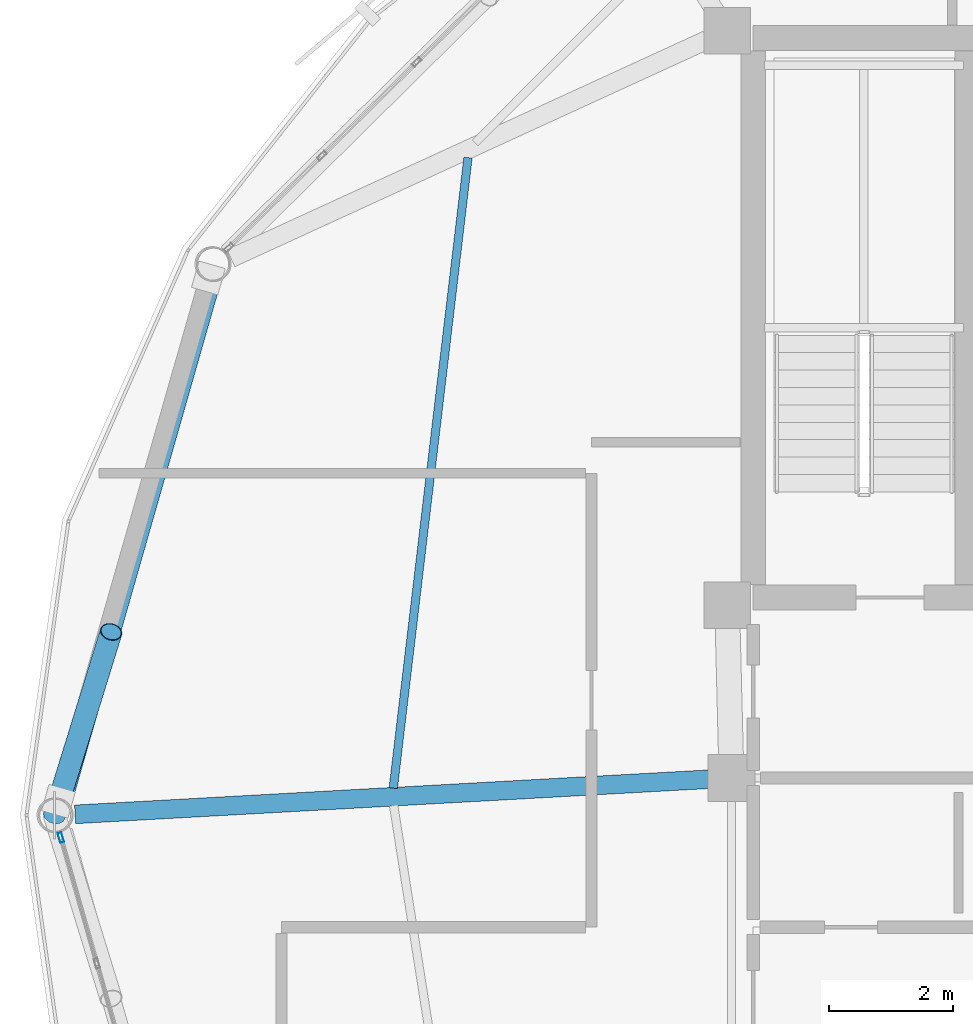
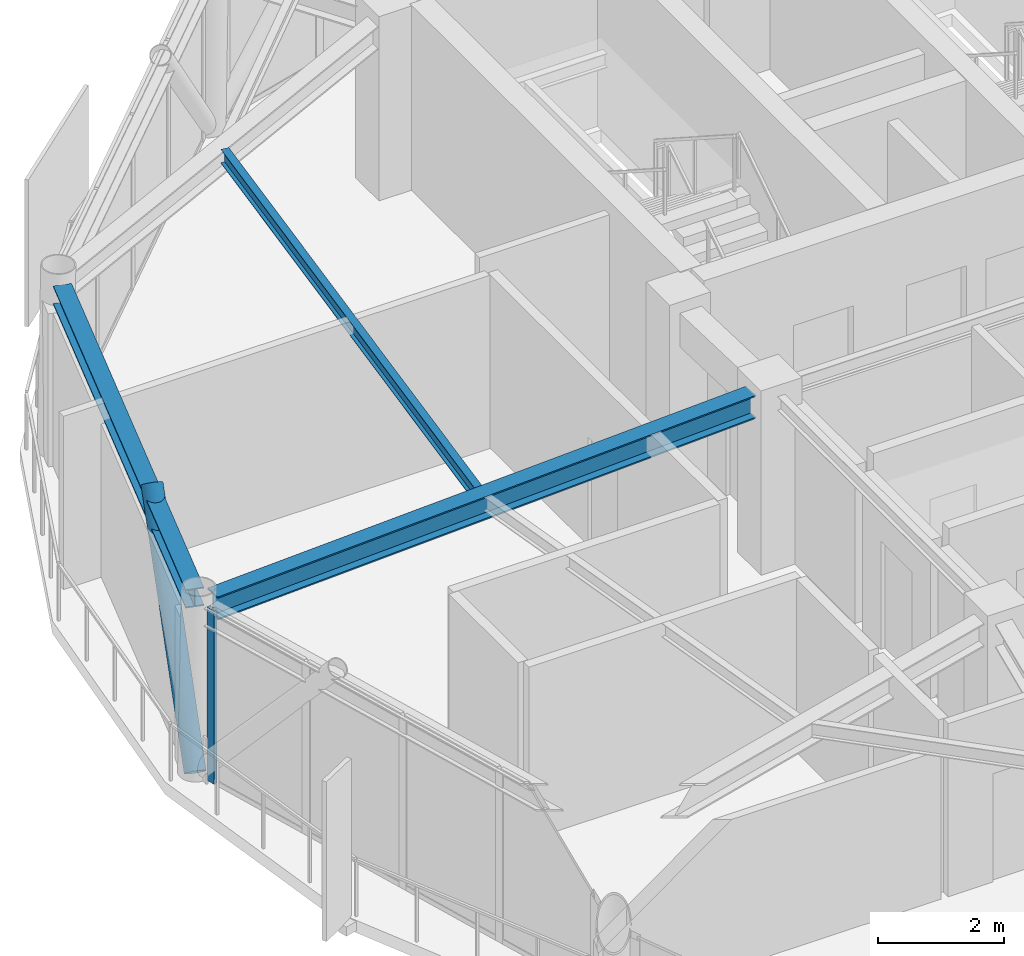
# One storey, part 10 of 26: 3 beams, 2 members, 1 element without a shape of its own.
"""IFC4 building model written with IfcOpenShell, lengths in metres."""

from ifc_helpers import new_model, si_unit, direction, frame, origin, origin_2d, place, context, subcontext, project, spatial, hollow_rectangle, hollow_circle, i_section, extrude, material, layer, layer_set, material_profile, profile_set, type_object, element, aggregate, save


model = new_model("IFC4")

# Units and contexts
model_context = context("Model", 3, precision=1e-05, world=origin(), true_north=direction((0.0, 1.0)))
body_context = subcontext(model_context, "Body", "Model", "MODEL_VIEW")
ifc_project = project(units=[si_unit("LENGTHUNIT", "METRE"), si_unit("AREAUNIT", "SQUARE_METRE"), si_unit("VOLUMEUNIT", "CUBIC_METRE"), si_unit("PLANEANGLEUNIT", "RADIAN"), si_unit("MASSUNIT", "GRAM", prefix="KILO")], contexts=[model_context])

# Site, building, storey
site_placement = place(None, origin())
site = spatial("IfcSite", under=ifc_project, at=site_placement, CompositionType="ELEMENT")
building_placement = place(site_placement, origin())
building = spatial("IfcBuilding", under=site, at=building_placement, Name="Varnakorn Sky Granary", CompositionType="ELEMENT")
storey_placement = place(building_placement, frame((0.0, 0.0, 270.60009765625)))
storey = spatial("IfcBuildingStorey", under=building, at=storey_placement, Name="L69", CompositionType="ELEMENT", Elevation=270.60009765625)

# Beams
ifc_material_1 = material(Name="Steel S355JR", Category="steel")
ifc_material_profile_1 = material_profile(ifc_material_1, i_section(OverallWidth=0.300048828125, OverallDepth=0.449951171875, WebThickness=0.013916015625, FlangeThickness=0.02587890625, at=origin_2d()), Name="HE 450 B")
ifc_profile_set_1 = profile_set([ifc_material_profile_1], Name="Steel S355JR")
beam_type_1 = type_object("IfcBeamType", Name="BM-RAD-Z5", PredefinedType="BEAM", material=ifc_profile_set_1)
beam_1_placement = place(storey_placement, frame((-2.70458984375, 0.580322265625, 3.135009765625), z_axis=(-0.99846644908, -0.055360184798, 0.0), x_axis=(0.055360184798, -0.99846644908, 0.0)))
element("IfcBeam", 1, at=beam_1_placement, inside=storey, type_object=beam_type_1, Name="Radial Floor Girder RG07 L69", PredefinedType="BEAM", context=body_context, shape_type="SweptSolid", body=[
    extrude(i_section(OverallWidth=0.300048828125, OverallDepth=0.449951171875, WebThickness=0.013916015625, FlangeThickness=0.02587890625, at=origin_2d()), origin(), (0.0, 0.0, 1.0), 10.218017578125),
])
ifc_material_profile_2 = material_profile(ifc_material_1, i_section(OverallWidth=0.135009765625, OverallDepth=0.27001953125, WebThickness=0.006591796875, FlangeThickness=0.01025390625, at=origin_2d()), Name="IPE 270")
ifc_profile_set_2 = profile_set([ifc_material_profile_2], Name="Steel S355JR")
beam_type_2 = type_object("IfcBeamType", Name="BM-SEC-Z5", PredefinedType="BEAM", material=ifc_profile_set_2)
beam_2_placement = place(storey_placement, frame((-6.58740234375, 10.5771484375, 3.224853515625), z_axis=(-0.11769985761, -0.993049215054, 0.0), x_axis=(0.993049215054, -0.11769985761, 0.0)))
element("IfcBeam", 2, at=beam_2_placement, inside=storey, type_object=beam_type_2, Name="Secondary Floor Chord Beam MSB06 L69", PredefinedType="BEAM", context=body_context, shape_type="SweptSolid", body=[
    extrude(i_section(OverallWidth=0.135009765625, OverallDepth=0.27001953125, WebThickness=0.006591796875, FlangeThickness=0.01025390625, at=origin_2d()), origin(), (0.0, 0.0, 1.0), 10.211669921875),
])
ifc_material_profile_3 = material_profile(ifc_material_1, i_section(OverallWidth=0.300048828125, OverallDepth=0.360107421875, WebThickness=0.012451171875, FlangeThickness=0.0224609375, at=origin_2d()), Name="HE 360 B")
ifc_profile_set_3 = profile_set([ifc_material_profile_3], Name="Steel S355JR")
beam_type_3 = type_object("IfcBeamType", Name="BM-SPD-Z5", PredefinedType="SPANDREL", material=ifc_profile_set_3)
beam_3_placement = place(storey_placement, frame((-10.71240234375, 8.595703125, 3.179931640625), z_axis=(-0.275014729466, -0.961440012989, 0.0), x_axis=(0.961440012989, -0.275014729466, 0.0)))
element("IfcBeam", 3, at=beam_3_placement, inside=storey, type_object=beam_type_3, Name="Perimeter Spandrel Ring Beam RB06 L69", PredefinedType="SPANDREL", context=body_context, shape_type="SweptSolid", body=[
    extrude(i_section(OverallWidth=0.300048828125, OverallDepth=0.360107421875, WebThickness=0.012451171875, FlangeThickness=0.0224609375, at=origin_2d()), origin(), (0.0, 0.0, 1.0), 8.67578125),
])

# Curtain wall, member
ifc_material_2 = material(Name="Anodised Bronze Aluminium Alloy 6063-T6", Category="aluminium")
ifc_layer = layer(ifc_material_2, 0.159912109375, Name="Anodised Bronze Aluminium Alloy 6063-T6")
ifc_layer_set = layer_set([ifc_layer], Name="Anodised Bronze Aluminium Alloy 6063-T6")
curtain_wall_type = type_object("IfcCurtainWallType", Name="CW-OFF-1", PredefinedType="USERDEFINED", material=ifc_layer_set)
curtain_wall_placement = place(storey_placement, origin())
curtain_wall = element("IfcCurtainWall", 4, at=curtain_wall_placement, inside=storey, type_object=curtain_wall_type, Name="Unitised Curtain Wall CW6 CW-L69-B07", ObjectType="CURTAIN WALL", PredefinedType="USERDEFINED")
ifc_material_profile_4 = material_profile(ifc_material_2, hollow_rectangle(XDim=0.06494140625, YDim=0.159912109375, WallThickness=0.00341796875, at=origin_2d()), Name="ALU MULL 65x160")
ifc_profile_set_4 = profile_set([ifc_material_profile_4], Name="Anodised Bronze Aluminium Alloy 6063-T6")
member_type_1 = type_object("IfcMemberType", Name="CW-OFF-1-MULL", PredefinedType="MULLION", material=ifc_profile_set_4)
member_1_placement = place(storey_placement, frame((-13.136474609375, -0.357666015625, 0.0), z_axis=(0.0, 0.0, 1.0), x_axis=(-0.96132319168, -0.275422804319, 0.0)))
member_1 = element("IfcMember", 5, at=member_1_placement, type_object=member_type_1, Name="CW6 mullion 5", PredefinedType="MULLION", context=body_context, shape_type="SweptSolid", body=[
    extrude(hollow_rectangle(XDim=0.06494140625, YDim=0.159912109375, WallThickness=0.00341796875, at=origin_2d()), origin(), (0.0, 0.0, 1.0), 3.35986328125),
])
aggregate(curtain_wall, [member_1])

# Member
ifc_material_3 = material(Name="Steel S460M", Category="steel")
ifc_material_profile_5 = material_profile(ifc_material_3, hollow_circle(Radius=0.177734375, WallThickness=0.01416015625, at=origin_2d()), Name="CHS 355.6x14")
ifc_profile_set_5 = profile_set([ifc_material_profile_5], Name="Steel S460M")
member_type_2 = type_object("IfcMemberType", Name="MB-DIAG-T5", PredefinedType="BRACE", material=ifc_profile_set_5)
member_2_placement = place(storey_placement, frame((-13.239013671875, 0.0, 0.0), z_axis=(0.195687606788, 0.633063816015, 0.748956985015), x_axis=(-0.955396962308, 0.295324642408, 0.0)))
element("IfcMember", 6, at=member_2_placement, inside=storey, type_object=member_type_2, Name="Perimeter CHS Diagrid Brace DG06 L69", PredefinedType="BRACE", context=body_context, shape_type="SweptSolid", body=[
    extrude(hollow_circle(Radius=0.177734375, WallThickness=0.01416015625, at=origin_2d()), origin(), (0.0, 0.0, 1.0), 4.659912109375),
])

save(model, "model.ifc")
